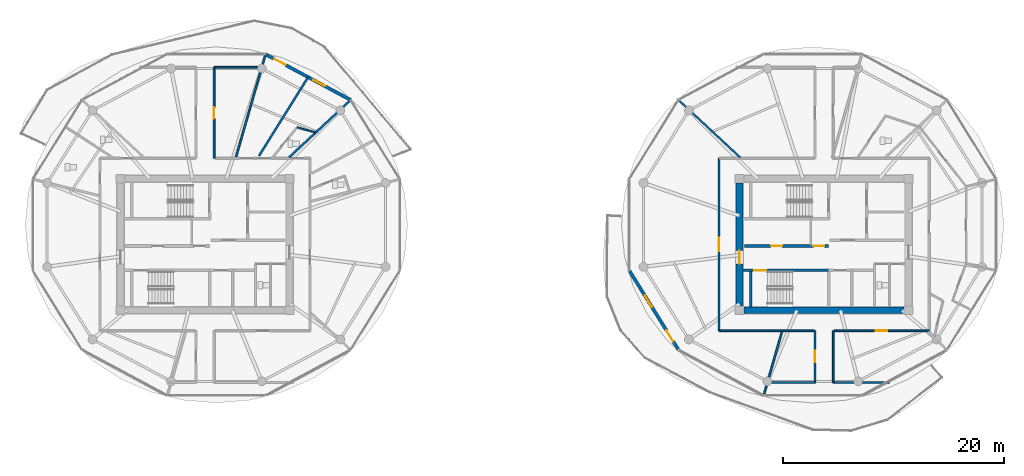
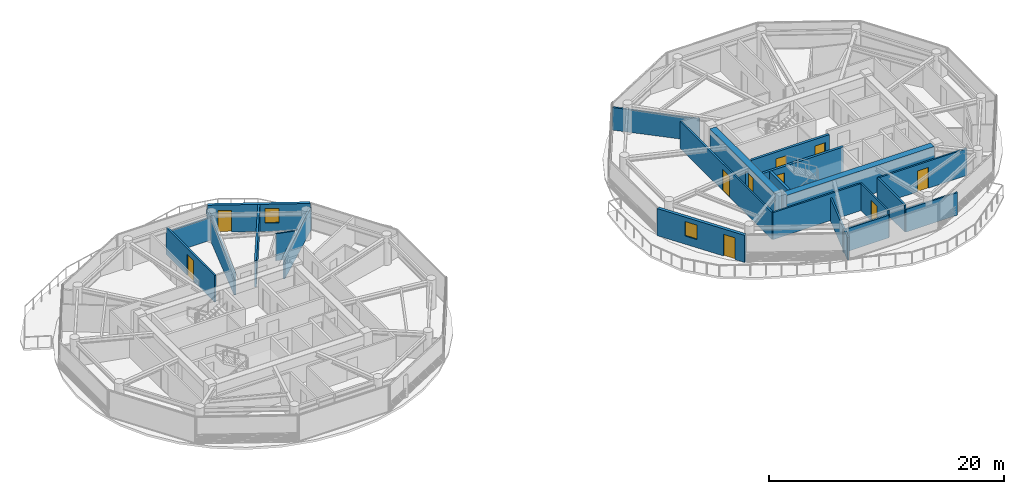
# One storey, part 14 of 21: 22 walls, 10 doors, 2 windows, 12 openings.
"""IFC4 building model written with IfcOpenShell, lengths in metres."""

from ifc_helpers import new_model, si_unit, direction, frame, frame_2d, origin, place, context, subcontext, project, spatial, rectangle, extrude, source, transform, mapped, material, layer, layer_set, type_object, type_shapes, element, fill, save


model = new_model("IFC4")

# Units and contexts
model_context = context("Model", 3, precision=1e-05, world=origin(), true_north=direction((0.0, 1.0)))
body_context = subcontext(model_context, "Body", "Model", "MODEL_VIEW")
ifc_project = project(units=[si_unit("LENGTHUNIT", "METRE"), si_unit("AREAUNIT", "SQUARE_METRE"), si_unit("VOLUMEUNIT", "CUBIC_METRE"), si_unit("PLANEANGLEUNIT", "RADIAN"), si_unit("MASSUNIT", "GRAM", prefix="KILO")], contexts=[model_context])

# Site, building, storey
site_placement = place(None, origin())
site = spatial("IfcSite", under=ifc_project, at=site_placement, CompositionType="ELEMENT")
building_placement = place(site_placement, origin())
building = spatial("IfcBuilding", under=site, at=building_placement, Name="Norrkilde Senior Care Towers", CompositionType="ELEMENT")
storey_placement = place(building_placement, frame((0.0, 0.0, 146.5)))
storey = spatial("IfcBuildingStorey", under=building, at=storey_placement, Name="L45", CompositionType="ELEMENT", Elevation=146.5)

# Wall
ifc_material_1 = material(Name="Concrete C50/60", Category="concrete")
ifc_layer_1 = layer(ifc_material_1, 0.6201171875)
ifc_layer_set_1 = layer_set([ifc_layer_1], Name="Concrete C50/60")
wall_type_1 = type_object("IfcWallType", Name="Core Shear Wall Z3 620", PredefinedType="SHEAR", material=ifc_layer_set_1)
shared_shape_1 = source(origin(), body_context, "Body", "SweptSolid", [
    extrude(rectangle(XDim=14.5, YDim=0.6201171875, at=frame_2d((7.25, 0.0))), origin(), (0.0, 0.0, 1.0), 2.81005859375),
])
wall_1_placement = place(storey_placement, frame((35.25, -5.949951171875, 0.0), z_axis=(0.0, 0.0, 1.0), x_axis=(-1.0, 0.0, 0.0)))
element("IfcWall", 1, at=wall_1_placement, inside=storey, type_object=wall_type_1, Name="L45 Core E South Shear Wall", PredefinedType="SHEAR", context=body_context, shape_type="MappedRepresentation", body=[
    mapped(shared_shape_1, transform((0.0, 0.0, 0.0), x_axis=(1.0, 0.0, 0.0), y_axis=(0.0, 1.0, 0.0), z_axis=(0.0, 0.0, 1.0), scale=1.0)),
])

# Wall, opening, door
shared_shape_2 = source(origin(), body_context, "Body", "SweptSolid", [
    extrude(rectangle(XDim=11.10009765625, YDim=0.6201171875, at=frame_2d((5.550048828125, 0.0))), origin(), (0.0, 0.0, 1.0), 2.81005859375),
])
type_shapes(wall_type_1, [shared_shape_1, shared_shape_2])
wall_2_placement = place(storey_placement, frame((20.35009765625, -5.550048828125, 0.0), z_axis=(0.0, 0.0, 1.0), x_axis=(0.0, 1.0, 0.0)))
wall_2 = element("IfcWall", 2, at=wall_2_placement, inside=storey, type_object=wall_type_1, Name="L45 Core E West Shear Wall", PredefinedType="SHEAR", context=body_context, shape_type="MappedRepresentation", body=[
    mapped(shared_shape_2, transform((0.0, 0.0, 0.0), x_axis=(1.0, 0.0, 0.0), y_axis=(0.0, 1.0, 0.0), z_axis=(0.0, 0.0, 1.0), scale=1.0)),
])
opening_1_placement = place(wall_2_placement, frame((3.800048828125, 0.0, 0.0)))
opening_1 = element("IfcOpeningElement", 3, at=opening_1_placement, cuts=wall_2, Name="Opening D-04", PredefinedType="OPENING", context=body_context, shape_type="SweptSolid", body=[
    extrude(rectangle(XDim=1.199951171875, YDim=2.14990234375, at=frame_2d((0.60009765625, 1.074951171875))), frame((0.0, 0.320068359375, 0.0), z_axis=(0.0, -1.0, 0.0), x_axis=(1.0, 0.0, 0.0)), (0.0, 0.0, 1.0), 0.64013671875),
])
ifc_material_2 = material(Name="Galvanised Painted Steel", Category="steel")
door_type_1 = type_object("IfcDoorType", Name="Firefighting Lobby Fire Door 1200x2150", OperationType="NOTDEFINED", PredefinedType="DOOR", material=ifc_material_2)
shared_shape_3 = source(origin(), body_context, "Body", "SweptSolid", [
    extrude(rectangle(XDim=1.199951171875, YDim=2.14990234375, at=frame_2d((0.60009765625, 1.074951171875))), frame((0.0, 0.02490234375, 0.0), z_axis=(0.0, -1.0, 0.0), x_axis=(1.0, 0.0, 0.0)), (0.0, 0.0, 1.0), 0.050048828125),
])
type_shapes(door_type_1, [shared_shape_3])
door_1_placement = place(opening_1_placement, frame((1.199951171875, 0.0, 0.0), z_axis=(0.0, 0.0, 1.0), x_axis=(-1.0, 0.0, 0.0)))
door_1 = element("IfcDoor", 4, at=door_1_placement, inside=storey, type_object=door_type_1, Name="L45 Core E West Portal Door", OperationType="SINGLE_SWING_LEFT", OverallHeight=2.14990234375, OverallWidth=1.199951171875, PredefinedType="DOOR", context=body_context, shape_type="MappedRepresentation", body=[
    mapped(shared_shape_3, transform((0.0, 0.0, 0.0), x_axis=(1.0, 0.0, 0.0), y_axis=(0.0, 1.0, 0.0), z_axis=(0.0, 0.0, 1.0), scale=1.0)),
])
fill(opening_1, door_1)

# Wall, openings, door, window
ifc_material_3 = material(Name="Precast concrete C45/55", Category="concrete")
ifc_layer_2 = layer(ifc_material_3, 0.2900390625)
ifc_layer_set_2 = layer_set([ifc_layer_2], Name="Precast concrete C45/55")
wall_type_2 = type_object("IfcWallType", Name="Winter Garden Facade Wall 290", PredefinedType="SOLIDWALL", material=ifc_layer_set_2)
shared_shape_4 = source(origin(), body_context, "Body", "SweptSolid", [
    extrude(rectangle(XDim=8.741943359375, YDim=0.2900390625, at=frame_2d((4.37109375, 0.0))), origin(), (0.0, 0.0, 1.0), 2.81005859375),
])
wall_3_placement = place(storey_placement, frame((-22.528564453125, 17.2109375, 0.0), z_axis=(0.0, 0.0, 1.0), x_axis=(0.880998740657, -0.473118609823, 0.0)))
wall_3 = element("IfcWall", 5, at=wall_3_placement, inside=storey, type_object=wall_type_2, Name="L45 Drum W Balcony Access Wall 01", PredefinedType="SOLIDWALL", context=body_context, shape_type="MappedRepresentation", body=[
    mapped(shared_shape_4, transform((0.0, 0.0, 0.0), x_axis=(1.0, 0.0, 0.0), y_axis=(0.0, 1.0, 0.0), z_axis=(0.0, 0.0, 1.0), scale=1.0)),
])
opening_2_placement = place(wall_3_placement, frame((0.89990234375, 0.0, 0.0)))
opening_2 = element("IfcOpeningElement", 6, at=opening_2_placement, cuts=wall_3, Name="Opening D-09", PredefinedType="OPENING", context=body_context, shape_type="SweptSolid", body=[
    extrude(rectangle(XDim=1.14990234375, YDim=2.25, at=frame_2d((0.574951171875, 1.125))), frame((0.0, 0.155029296875, 0.0), z_axis=(0.0, -1.0, 0.0), x_axis=(1.0, 0.0, 0.0)), (0.0, 0.0, 1.0), 0.31005859375),
])
opening_3_placement = place(wall_3_placement, frame((4.90087890625, 0.0, 0.85009765625)))
opening_3 = element("IfcOpeningElement", 7, at=opening_3_placement, cuts=wall_3, Name="Opening WN-07", PredefinedType="OPENING", context=body_context, shape_type="SweptSolid", body=[
    extrude(rectangle(XDim=1.199951171875, YDim=1.5, at=frame_2d((0.60009765625, 0.75))), frame((0.0, 0.155029296875, 0.0), z_axis=(0.0, -1.0, 0.0), x_axis=(1.0, 0.0, 0.0)), (0.0, 0.0, 1.0), 0.31005859375),
])
ifc_material_4 = material(Name="Anodised Aluminium", Category="aluminium")
door_type_2 = type_object("IfcDoorType", Name="Terrace and Balcony Glazed Door 1150x2250", OperationType="NOTDEFINED", PredefinedType="DOOR", material=ifc_material_4)
shared_shape_5 = source(origin(), body_context, "Body", "SweptSolid", [
    extrude(rectangle(XDim=1.14990234375, YDim=2.25, at=frame_2d((0.574951171875, 1.125))), frame((0.0, 0.02490234375, 0.0), z_axis=(0.0, -1.0, 0.0), x_axis=(1.0, 0.0, 0.0)), (0.0, 0.0, 1.0), 0.050048828125),
])
type_shapes(door_type_2, [shared_shape_5])
door_2_placement = place(opening_2_placement, origin())
door_2 = element("IfcDoor", 8, at=door_2_placement, inside=storey, type_object=door_type_2, Name="L45 Drum W Outdoor Terrace Door 01", OperationType="SINGLE_SWING_RIGHT", OverallHeight=2.25, OverallWidth=1.14990234375, PredefinedType="DOOR", context=body_context, shape_type="MappedRepresentation", body=[
    mapped(shared_shape_5, transform((0.0, 0.0, 0.0), x_axis=(1.0, 0.0, 0.0), y_axis=(0.0, 1.0, 0.0), z_axis=(0.0, 0.0, 1.0), scale=1.0)),
])
fill(opening_2, door_2)
ifc_material_5 = material(Name="Triple Low-E Insulated Glazing", Category="glass")
window_type = type_object("IfcWindowType", Name="Stairwell Smoke Vent Window 1200x1500", PartitioningType="SINGLE_PANEL", PredefinedType="WINDOW", material=ifc_material_5)
shared_shape_6 = source(origin(), body_context, "Body", "SweptSolid", [
    extrude(rectangle(XDim=1.199951171875, YDim=1.5, at=frame_2d((0.60009765625, 0.75))), frame((0.0, 0.030029296875, 0.0), z_axis=(0.0, -1.0, 0.0), x_axis=(1.0, 0.0, 0.0)), (0.0, 0.0, 1.0), 0.06005859375),
])
type_shapes(window_type, [shared_shape_6])
window_1_placement = place(opening_3_placement, origin())
window_1 = element("IfcWindow", 9, at=window_1_placement, inside=storey, type_object=window_type, Name="L45 Drum W Winter Garden Window 01", OverallHeight=1.5, OverallWidth=1.199951171875, PartitioningType="SINGLE_PANEL", PredefinedType="WINDOW", context=body_context, shape_type="MappedRepresentation", body=[
    mapped(shared_shape_6, transform((0.0, 0.0, 0.0), x_axis=(1.0, 0.0, 0.0), y_axis=(0.0, 1.0, 0.0), z_axis=(0.0, 0.0, 1.0), scale=1.0)),
])
fill(opening_3, window_1)

shared_shape_7 = source(origin(), body_context, "Body", "SweptSolid", [
    extrude(rectangle(XDim=8.431396484375, YDim=0.2900390625, at=frame_2d((4.2158203125, 0.0))), origin(), (0.0, 0.0, 1.0), 2.81005859375),
])
type_shapes(wall_type_2, [shared_shape_4, shared_shape_7])
wall_4_placement = place(storey_placement, frame((14.826904296875, -9.524169921875, 0.0), z_axis=(0.0, 0.0, 1.0), x_axis=(-0.527377998418, 0.849630770855, 0.0)))
wall_4 = element("IfcWall", 10, at=wall_4_placement, inside=storey, type_object=wall_type_2, Name="L45 Drum E Balcony Access Wall 06", PredefinedType="SOLIDWALL", context=body_context, shape_type="MappedRepresentation", body=[
    mapped(shared_shape_7, transform((0.0, 0.0, 0.0), x_axis=(1.0, 0.0, 0.0), y_axis=(0.0, 1.0, 0.0), z_axis=(0.0, 0.0, 1.0), scale=1.0)),
])
opening_4_placement = place(wall_4_placement, frame((0.89990234375, 0.0, 0.0)))
opening_4 = element("IfcOpeningElement", 11, at=opening_4_placement, cuts=wall_4, Name="Opening D-09", PredefinedType="OPENING", context=body_context, shape_type="SweptSolid", body=[
    extrude(rectangle(XDim=1.14990234375, YDim=2.25, at=frame_2d((0.574951171875, 1.125))), frame((0.0, 0.155029296875, 0.0), z_axis=(0.0, -1.0, 0.0), x_axis=(1.0, 0.0, 0.0)), (0.0, 0.0, 1.0), 0.31005859375),
])
opening_5_placement = place(wall_4_placement, frame((4.565673828125, 0.0, 0.85009765625)))
opening_5 = element("IfcOpeningElement", 12, at=opening_5_placement, cuts=wall_4, Name="Opening WN-07", PredefinedType="OPENING", context=body_context, shape_type="SweptSolid", body=[
    extrude(rectangle(XDim=1.199951171875, YDim=1.5, at=frame_2d((0.60009765625, 0.75))), frame((0.0, 0.155029296875, 0.0), z_axis=(0.0, -1.0, 0.0), x_axis=(1.0, 0.0, 0.0)), (0.0, 0.0, 1.0), 0.31005859375),
])
door_3_placement = place(opening_4_placement, origin())
door_3 = element("IfcDoor", 13, at=door_3_placement, inside=storey, type_object=door_type_2, Name="L45 Drum E Outdoor Terrace Door 06", OperationType="SINGLE_SWING_LEFT", OverallHeight=2.25, OverallWidth=1.14990234375, PredefinedType="DOOR", context=body_context, shape_type="MappedRepresentation", body=[
    mapped(shared_shape_5, transform((0.0, 0.0, 0.0), x_axis=(1.0, 0.0, 0.0), y_axis=(0.0, 1.0, 0.0), z_axis=(0.0, 0.0, 1.0), scale=1.0)),
])
fill(opening_4, door_3)
window_2_placement = place(opening_5_placement, origin())
window_2 = element("IfcWindow", 14, at=window_2_placement, inside=storey, type_object=window_type, Name="L45 Drum E Winter Garden Window 06", OverallHeight=1.5, OverallWidth=1.199951171875, PartitioningType="SINGLE_PANEL", PredefinedType="WINDOW", context=body_context, shape_type="MappedRepresentation", body=[
    mapped(shared_shape_6, transform((0.0, 0.0, 0.0), x_axis=(1.0, 0.0, 0.0), y_axis=(0.0, 1.0, 0.0), z_axis=(0.0, 0.0, 1.0), scale=1.0)),
])
fill(opening_5, window_2)

# Wall, opening, door
ifc_material_6 = material(Name="Concrete C45/55", Category="concrete")
ifc_layer_3 = layer(ifc_material_6, 0.239990234375)
ifc_layer_set_3 = layer_set([ifc_layer_3], Name="Concrete C45/55")
wall_type_3 = type_object("IfcWallType", Name="Shaft and Stair Enclosure Wall 240", PredefinedType="PARTITIONING", material=ifc_layer_set_3)
shared_shape_8 = source(origin(), body_context, "Body", "SweptSolid", [
    extrude(rectangle(XDim=7.880126953125, YDim=0.239990234375, at=frame_2d((3.93994140625, 0.0))), origin(), (0.0, 0.0, 1.0), 2.81005859375),
])
wall_5_placement = place(storey_placement, frame((20.659912109375, -2.330078125, 0.0), z_axis=(0.0, 0.0, 1.0), x_axis=(1.0, 0.0, 0.0)))
wall_5 = element("IfcWall", 15, at=wall_5_placement, inside=storey, type_object=wall_type_3, Name="WL-INT-L45-E-ST2N", PredefinedType="PARTITIONING", context=body_context, shape_type="MappedRepresentation", body=[
    mapped(shared_shape_8, transform((0.0, 0.0, 0.0), x_axis=(1.0, 0.0, 0.0), y_axis=(0.0, 1.0, 0.0), z_axis=(0.0, 0.0, 1.0), scale=1.0)),
])
opening_6_placement = place(wall_5_placement, frame((1.0, 0.0, 0.0)))
opening_6 = element("IfcOpeningElement", 16, at=opening_6_placement, cuts=wall_5, Name="Opening D-03", PredefinedType="OPENING", context=body_context, shape_type="SweptSolid", body=[
    extrude(rectangle(XDim=1.10009765625, YDim=2.14990234375, at=frame_2d((0.550048828125, 1.074951171875))), frame((0.0, 0.1298828125, 0.0), z_axis=(0.0, -1.0, 0.0), x_axis=(1.0, 0.0, 0.0)), (0.0, 0.0, 1.0), 0.260009765625),
])
door_type_3 = type_object("IfcDoorType", Name="Stairwell Protected Fire Door 1100x2150", OperationType="NOTDEFINED", PredefinedType="DOOR", material=ifc_material_2)
shared_shape_9 = source(origin(), body_context, "Body", "SweptSolid", [
    extrude(rectangle(XDim=1.10009765625, YDim=2.14990234375, at=frame_2d((0.550048828125, 1.074951171875))), frame((0.0, 0.02490234375, 0.0), z_axis=(0.0, -1.0, 0.0), x_axis=(1.0, 0.0, 0.0)), (0.0, 0.0, 1.0), 0.050048828125),
])
type_shapes(door_type_3, [shared_shape_9])
door_4_placement = place(opening_6_placement, frame((1.10009765625, 0.0, 0.0), z_axis=(0.0, 0.0, 1.0), x_axis=(-1.0, 0.0, 0.0)))
door_4 = element("IfcDoor", 17, at=door_4_placement, inside=storey, type_object=door_type_3, Name="L45 Stair E2 Fire Door", OperationType="SINGLE_SWING_RIGHT", OverallHeight=2.14990234375, OverallWidth=1.10009765625, PredefinedType="DOOR", context=body_context, shape_type="MappedRepresentation", body=[
    mapped(shared_shape_9, transform((0.0, 0.0, 0.0), x_axis=(1.0, 0.0, 0.0), y_axis=(0.0, 1.0, 0.0), z_axis=(0.0, 0.0, 1.0), scale=1.0)),
])
fill(opening_6, door_4)

# Wall
shared_shape_10 = source(origin(), body_context, "Body", "SweptSolid", [
    extrude(rectangle(XDim=3.18994140625, YDim=0.239990234375, at=frame_2d((1.594970703125, 0.0))), origin(), (0.0, 0.0, 1.0), 2.81005859375),
])
type_shapes(wall_type_3, [shared_shape_8, shared_shape_10])
wall_6_placement = place(storey_placement, frame((21.3798828125, -5.639892578125, 0.0), z_axis=(0.0, 0.0, 1.0), x_axis=(0.0, 1.0, 0.0)))
element("IfcWall", 18, at=wall_6_placement, inside=storey, type_object=wall_type_3, Name="WL-INT-L45-E-ST2W", PredefinedType="PARTITIONING", context=body_context, shape_type="MappedRepresentation", body=[
    mapped(shared_shape_10, transform((0.0, 0.0, 0.0), x_axis=(1.0, 0.0, 0.0), y_axis=(0.0, 1.0, 0.0), z_axis=(0.0, 0.0, 1.0), scale=1.0)),
])

# Wall, openings, doors
ifc_layer_4 = layer(ifc_material_6, 0.239990234375)
ifc_layer_set_4 = layer_set([ifc_layer_4], Name="Concrete C45/55")
wall_type_4 = type_object("IfcWallType", Name="Lift and Plant Rated Enclosure Partition 240", PredefinedType="PARTITIONING", material=ifc_layer_set_4)
shared_shape_11 = source(origin(), body_context, "Body", "SweptSolid", [
    extrude(rectangle(XDim=7.619873046875, YDim=0.239990234375, at=frame_2d((3.81005859375, 0.0))), origin(), (0.0, 0.0, 1.0), 2.794921875),
])
type_shapes(wall_type_4, [shared_shape_11])
wall_7_placement = place(storey_placement, frame((20.800048828125, -0.1298828125, 0.0), z_axis=(0.0, 0.0, 1.0), x_axis=(1.0, 0.0, 0.0)))
wall_7 = element("IfcWall", 19, at=wall_7_placement, inside=storey, type_object=wall_type_4, Name="WL-INT-L45-E-PKAS", PredefinedType="PARTITIONING", context=body_context, shape_type="MappedRepresentation", body=[
    mapped(shared_shape_11, transform((0.0, 0.0, 0.0), x_axis=(1.0, 0.0, 0.0), y_axis=(0.0, 1.0, 0.0), z_axis=(0.0, 0.0, 1.0), scale=1.0)),
])
opening_7_placement = place(wall_7_placement, frame((6.219970703125, 0.0, 0.0)))
opening_7 = element("IfcOpeningElement", 20, at=opening_7_placement, cuts=wall_7, Name="Opening D-10", PredefinedType="OPENING", context=body_context, shape_type="SweptSolid", body=[
    extrude(rectangle(XDim=1.0, YDim=2.10009765625, at=frame_2d((0.5, 1.050048828125))), frame((0.0, 0.1298828125, 0.0), z_axis=(0.0, -1.0, 0.0), x_axis=(1.0, 0.0, 0.0)), (0.0, 0.0, 1.0), 0.260009765625),
])
opening_8_placement = place(wall_7_placement, frame((2.39990234375, 0.0, 0.0)))
opening_8 = element("IfcOpeningElement", 21, at=opening_8_placement, cuts=wall_7, Name="Opening D-10", PredefinedType="OPENING", context=body_context, shape_type="SweptSolid", body=[
    extrude(rectangle(XDim=1.0, YDim=2.10009765625, at=frame_2d((0.5, 1.050048828125))), frame((0.0, 0.1298828125, 0.0), z_axis=(0.0, -1.0, 0.0), x_axis=(1.0, 0.0, 0.0)), (0.0, 0.0, 1.0), 0.260009765625),
])
door_type_4 = type_object("IfcDoorType", Name="Plant and Riser Rated Door 1000x2100", OperationType="NOTDEFINED", PredefinedType="DOOR", material=ifc_material_2)
shared_shape_12 = source(origin(), body_context, "Body", "SweptSolid", [
    extrude(rectangle(XDim=1.0, YDim=2.10009765625, at=frame_2d((0.5, 1.050048828125))), frame((0.0, 0.02490234375, 0.0), z_axis=(0.0, -1.0, 0.0), x_axis=(1.0, 0.0, 0.0)), (0.0, 0.0, 1.0), 0.050048828125),
])
type_shapes(door_type_4, [shared_shape_12])
door_5_placement = place(opening_7_placement, frame((1.0, 0.0, 0.0), z_axis=(0.0, 0.0, 1.0), x_axis=(-1.0, 0.0, 0.0)))
door_5 = element("IfcDoor", 22, at=door_5_placement, inside=storey, type_object=door_type_4, Name="L45 Electrical Riser E Door", OperationType="SINGLE_SWING_LEFT", OverallHeight=2.10009765625, OverallWidth=1.0, PredefinedType="DOOR", context=body_context, shape_type="MappedRepresentation", body=[
    mapped(shared_shape_12, transform((0.0, 0.0, 0.0), x_axis=(1.0, 0.0, 0.0), y_axis=(0.0, 1.0, 0.0), z_axis=(0.0, 0.0, 1.0), scale=1.0)),
])
fill(opening_7, door_5)
door_6_placement = place(opening_8_placement, frame((1.0, 0.0, 0.0), z_axis=(0.0, 0.0, 1.0), x_axis=(-1.0, 0.0, 0.0)))
door_6 = element("IfcDoor", 23, at=door_6_placement, inside=storey, type_object=door_type_4, Name="L45 Clean Supply Store E Door", OperationType="SINGLE_SWING_LEFT", OverallHeight=2.10009765625, OverallWidth=1.0, PredefinedType="DOOR", context=body_context, shape_type="MappedRepresentation", body=[
    mapped(shared_shape_12, transform((0.0, 0.0, 0.0), x_axis=(1.0, 0.0, 0.0), y_axis=(0.0, 1.0, 0.0), z_axis=(0.0, 0.0, 1.0), scale=1.0)),
])
fill(opening_8, door_6)

# Wall, opening, door
ifc_material_7 = material(Name="Gypsum Acoustic Board")
ifc_layer_5 = layer(ifc_material_7, 0.1650390625)
ifc_layer_set_5 = layer_set([ifc_layer_5], Name="Gypsum Acoustic Board")
wall_type_5 = type_object("IfcWallType", Name="Corridor Rated Partition 165", PredefinedType="PARTITIONING", material=ifc_layer_set_5)
shared_shape_13 = source(origin(), body_context, "Body", "SweptSolid", [
    extrude(rectangle(XDim=8.60009765625, YDim=0.1650390625, at=frame_2d((4.300048828125, 0.0))), origin(), (0.0, 0.0, 1.0), 2.794921875),
])
wall_8_placement = place(storey_placement, frame((37.5, -7.800048828125, 0.0), z_axis=(0.0, 0.0, 1.0), x_axis=(-1.0, 0.0, 0.0)))
wall_8 = element("IfcWall", 24, at=wall_8_placement, inside=storey, type_object=wall_type_5, Name="WL-INT-L45-E-CRW-S-0", PredefinedType="PARTITIONING", context=body_context, shape_type="MappedRepresentation", body=[
    mapped(shared_shape_13, transform((0.0, 0.0, 0.0), x_axis=(1.0, 0.0, 0.0), y_axis=(0.0, 1.0, 0.0), z_axis=(0.0, 0.0, 1.0), scale=1.0)),
])
opening_9_placement = place(wall_8_placement, frame((3.77490234375, 0.0, 0.0)))
opening_9 = element("IfcOpeningElement", 25, at=opening_9_placement, cuts=wall_8, Name="Opening D-06", PredefinedType="OPENING", context=body_context, shape_type="SweptSolid", body=[
    extrude(rectangle(XDim=1.050048828125, YDim=2.14990234375, at=frame_2d((0.52490234375, 1.074951171875))), frame((0.0, 0.092529296875, 0.0), z_axis=(0.0, -1.0, 0.0), x_axis=(1.0, 0.0, 0.0)), (0.0, 0.0, 1.0), 0.18505859375),
])
ifc_material_8 = material(Name="Nordic Ash Timber", Category="wood")
door_type_5 = type_object("IfcDoorType", Name="Apartment Entrance Fire Door 1050x2150", OperationType="NOTDEFINED", PredefinedType="DOOR", material=ifc_material_8)
shared_shape_14 = source(origin(), body_context, "Body", "SweptSolid", [
    extrude(rectangle(XDim=1.050048828125, YDim=2.14990234375, at=frame_2d((0.52490234375, 1.074951171875))), frame((0.0, 0.02490234375, 0.0), z_axis=(0.0, -1.0, 0.0), x_axis=(1.0, 0.0, 0.0)), (0.0, 0.0, 1.0), 0.050048828125),
])
type_shapes(door_type_5, [shared_shape_14])
door_7_placement = place(opening_9_placement, frame((1.050048828125, 0.0, 0.0), z_axis=(0.0, 0.0, 1.0), x_axis=(-1.0, 0.0, 0.0)))
door_7 = element("IfcDoor", 26, at=door_7_placement, inside=storey, type_object=door_type_5, Name="L45 Reading Lounge SEL Door", OperationType="SINGLE_SWING_RIGHT", OverallHeight=2.14990234375, OverallWidth=1.050048828125, PredefinedType="DOOR", context=body_context, shape_type="MappedRepresentation", body=[
    mapped(shared_shape_14, transform((0.0, 0.0, 0.0), x_axis=(1.0, 0.0, 0.0), y_axis=(0.0, 1.0, 0.0), z_axis=(0.0, 0.0, 1.0), scale=1.0)),
])
fill(opening_9, door_7)

# Wall
wall_9_placement = place(storey_placement, frame((27.10009765625, -7.800048828125, 0.0), z_axis=(0.0, 0.0, 1.0), x_axis=(-1.0, 0.0, 0.0)))
element("IfcWall", 27, at=wall_9_placement, inside=storey, type_object=wall_type_5, Name="WL-INT-L45-E-CRW-S-1", PredefinedType="PARTITIONING", context=body_context, shape_type="MappedRepresentation", body=[
    mapped(shared_shape_13, transform((0.0, 0.0, 0.0), x_axis=(1.0, 0.0, 0.0), y_axis=(0.0, 1.0, 0.0), z_axis=(0.0, 0.0, 1.0), scale=1.0)),
])

# Wall, opening, door
shared_shape_15 = source(origin(), body_context, "Body", "SweptSolid", [
    extrude(rectangle(XDim=15.60009765625, YDim=0.1650390625, at=frame_2d((7.800048828125, 0.0))), origin(), (0.0, 0.0, 1.0), 2.794921875),
])
wall_10_placement = place(storey_placement, frame((18.5, -7.800048828125, 0.0), z_axis=(0.0, 0.0, 1.0), x_axis=(0.0, 1.0, 0.0)))
wall_10 = element("IfcWall", 28, at=wall_10_placement, inside=storey, type_object=wall_type_5, Name="WL-INT-L45-E-CRW-W-0", PredefinedType="PARTITIONING", context=body_context, shape_type="MappedRepresentation", body=[
    mapped(shared_shape_15, transform((0.0, 0.0, 0.0), x_axis=(1.0, 0.0, 0.0), y_axis=(0.0, 1.0, 0.0), z_axis=(0.0, 0.0, 1.0), scale=1.0)),
])
opening_10_placement = place(wall_10_placement, frame((7.175048828125, 0.0, 0.0)))
opening_10 = element("IfcOpeningElement", 29, at=opening_10_placement, cuts=wall_10, Name="Opening D-05", PredefinedType="OPENING", context=body_context, shape_type="SweptSolid", body=[
    extrude(rectangle(XDim=1.25, YDim=2.199951171875, at=frame_2d((0.625, 1.10009765625))), frame((0.0, 0.092529296875, 0.0), z_axis=(0.0, -1.0, 0.0), x_axis=(1.0, 0.0, 0.0)), (0.0, 0.0, 1.0), 0.18505859375),
])
door_type_6 = type_object("IfcDoorType", Name="Care Bedroom Bariatric Door 1250x2200", OperationType="NOTDEFINED", PredefinedType="DOOR", material=ifc_material_8)
shared_shape_16 = source(origin(), body_context, "Body", "SweptSolid", [
    extrude(rectangle(XDim=1.25, YDim=2.199951171875, at=frame_2d((0.625, 1.10009765625))), frame((0.0, 0.02490234375, 0.0), z_axis=(0.0, -1.0, 0.0), x_axis=(1.0, 0.0, 0.0)), (0.0, 0.0, 1.0), 0.050048828125),
])
type_shapes(door_type_6, [shared_shape_16])
door_8_placement = place(opening_10_placement, frame((1.25, 0.0, 0.0), z_axis=(0.0, 0.0, 1.0), x_axis=(-1.0, 0.0, 0.0)))
door_8 = element("IfcDoor", 30, at=door_8_placement, inside=storey, type_object=door_type_6, Name="L45 Senior Wellness Library Lounge Door", OperationType="SINGLE_SWING_LEFT", OverallHeight=2.199951171875, OverallWidth=1.25, PredefinedType="DOOR", context=body_context, shape_type="MappedRepresentation", body=[
    mapped(shared_shape_16, transform((0.0, 0.0, 0.0), x_axis=(1.0, 0.0, 0.0), y_axis=(0.0, 1.0, 0.0), z_axis=(0.0, 0.0, 1.0), scale=1.0)),
])
fill(opening_10, door_8)

# Walls
shared_shape_17 = source(origin(), body_context, "Body", "SweptSolid", [
    extrude(rectangle(XDim=9.73046875, YDim=0.1650390625, at=frame_2d((4.865234375, 0.0))), origin(), (0.0, 0.0, 1.0), 2.344970703125),
])
wall_11_placement = place(storey_placement, frame((-25.216552734375, 7.8798828125, 0.0), z_axis=(0.0, 0.0, 1.0), x_axis=(0.27679492614, 0.960929013436, 0.0)))
element("IfcWall", 31, at=wall_11_placement, inside=storey, type_object=wall_type_5, Name="WL-INT-L45-W-DEM-02-0", PredefinedType="PARTITIONING", context=body_context, shape_type="MappedRepresentation", body=[
    mapped(shared_shape_17, transform((0.0, 0.0, 0.0), x_axis=(1.0, 0.0, 0.0), y_axis=(0.0, 1.0, 0.0), z_axis=(0.0, 0.0, 1.0), scale=1.0)),
])
shared_shape_18 = source(origin(), body_context, "Body", "SweptSolid", [
    extrude(rectangle(XDim=6.035400390625, YDim=0.1650390625, at=frame_2d((3.017578125, 0.0))), origin(), (0.0, 0.0, 1.0), 2.344970703125),
])
wall_12_placement = place(storey_placement, frame((24.19384765625, -7.8798828125, 0.0), z_axis=(0.0, 0.0, 1.0), x_axis=(-0.276809454862, -0.960924828329, 0.0)))
element("IfcWall", 32, at=wall_12_placement, inside=storey, type_object=wall_type_5, Name="WL-INT-L45-E-DEM-08-0", PredefinedType="PARTITIONING", context=body_context, shape_type="MappedRepresentation", body=[
    mapped(shared_shape_18, transform((0.0, 0.0, 0.0), x_axis=(1.0, 0.0, 0.0), y_axis=(0.0, 1.0, 0.0), z_axis=(0.0, 0.0, 1.0), scale=1.0)),
])

# Wall, opening, door
shared_shape_19 = source(origin(), body_context, "Body", "SweptSolid", [
    extrude(rectangle(XDim=8.2353515625, YDim=0.1650390625, at=frame_2d((4.11767578125, 0.0))), origin(), (0.0, 0.0, 1.0), 2.794921875),
])
wall_13_placement = place(storey_placement, frame((-27.179931640625, 7.800048828125, 0.0), z_axis=(0.0, 0.0, 1.0), x_axis=(0.0, 1.0, 0.0)))
wall_13 = element("IfcWall", 33, at=wall_13_placement, inside=storey, type_object=wall_type_5, Name="WL-INT-L45-W-PKW-NEL", PredefinedType="PARTITIONING", context=body_context, shape_type="MappedRepresentation", body=[
    mapped(shared_shape_19, transform((0.0, 0.0, 0.0), x_axis=(1.0, 0.0, 0.0), y_axis=(0.0, 1.0, 0.0), z_axis=(0.0, 0.0, 1.0), scale=1.0)),
])
opening_11_placement = place(wall_13_placement, frame((3.5927734375, 0.0, 0.0)))
opening_11 = element("IfcOpeningElement", 34, at=opening_11_placement, cuts=wall_13, Name="Opening D-06", PredefinedType="OPENING", context=body_context, shape_type="SweptSolid", body=[
    extrude(rectangle(XDim=1.050048828125, YDim=2.14990234375, at=frame_2d((0.52490234375, 1.074951171875))), frame((0.0, 0.092529296875, 0.0), z_axis=(0.0, -1.0, 0.0), x_axis=(1.0, 0.0, 0.0)), (0.0, 0.0, 1.0), 0.18505859375),
])
door_9_placement = place(opening_11_placement, frame((1.050048828125, 0.0, 0.0), z_axis=(0.0, 0.0, 1.0), x_axis=(-1.0, 0.0, 0.0)))
door_9 = element("IfcDoor", 35, at=door_9_placement, inside=storey, type_object=door_type_5, Name="L45 Reading Lounge NEL Door", OperationType="SINGLE_SWING_RIGHT", OverallHeight=2.14990234375, OverallWidth=1.050048828125, PredefinedType="DOOR", context=body_context, shape_type="MappedRepresentation", body=[
    mapped(shared_shape_14, transform((0.0, 0.0, 0.0), x_axis=(1.0, 0.0, 0.0), y_axis=(0.0, 1.0, 0.0), z_axis=(0.0, 0.0, 1.0), scale=1.0)),
])
fill(opening_11, door_9)

# Walls
shared_shape_20 = source(origin(), body_context, "Body", "SweptSolid", [
    extrude(rectangle(XDim=4.46875, YDim=0.1650390625, at=frame_2d((2.234375, 0.0))), origin(), (0.0, 0.0, 1.0), 2.344970703125),
])
for number, where, z_axis, x_axis, name in (
    (36, (-27.179931640625, 16.035400390625, 0.0), (0.0, 0.0, 1.0), (1.0, 0.0, 0.0), "WL-INT-L45-W-PKH-NEL-0"),
    (37, (22.711181640625, -12.484619140625, 0.0), (0.0, 0.0, 1.0), (1.0, 0.0, 0.0), "WL-INT-L45-E-PKH-SWL-0"),
):
    element("IfcWall", number, at=place(storey_placement, frame(where, z_axis=z_axis, x_axis=x_axis)), inside=storey, type_object=wall_type_5, Name=name, PredefinedType="PARTITIONING", context=body_context, shape_type="MappedRepresentation", body=[
        mapped(shared_shape_20, transform((0.0, 0.0, 0.0), x_axis=(1.0, 0.0, 0.0), y_axis=(0.0, 1.0, 0.0), z_axis=(0.0, 0.0, 1.0), scale=1.0)),
    ])

# Wall, opening, door
shared_shape_21 = source(origin(), body_context, "Body", "SweptSolid", [
    extrude(rectangle(XDim=4.6845703125, YDim=0.1650390625, at=frame_2d((2.34228515625, 0.0))), origin(), (0.0, 0.0, 1.0), 2.794921875),
])
wall_14_placement = place(storey_placement, frame((27.179931640625, -12.484619140625, 0.0), z_axis=(0.0, 0.0, 1.0), x_axis=(0.0, 1.0, 0.0)))
wall_14 = element("IfcWall", 38, at=wall_14_placement, inside=storey, type_object=wall_type_5, Name="WL-INT-L45-E-PKW-SWL", PredefinedType="PARTITIONING", context=body_context, shape_type="MappedRepresentation", body=[
    mapped(shared_shape_21, transform((0.0, 0.0, 0.0), x_axis=(1.0, 0.0, 0.0), y_axis=(0.0, 1.0, 0.0), z_axis=(0.0, 0.0, 1.0), scale=1.0)),
])
opening_12_placement = place(wall_14_placement, frame((1.8173828125, 0.0, 0.0)))
opening_12 = element("IfcOpeningElement", 39, at=opening_12_placement, cuts=wall_14, Name="Opening D-06", PredefinedType="OPENING", context=body_context, shape_type="SweptSolid", body=[
    extrude(rectangle(XDim=1.050048828125, YDim=2.14990234375, at=frame_2d((0.52490234375, 1.074951171875))), frame((0.0, 0.092529296875, 0.0), z_axis=(0.0, -1.0, 0.0), x_axis=(1.0, 0.0, 0.0)), (0.0, 0.0, 1.0), 0.18505859375),
])
door_10_placement = place(opening_12_placement, frame((1.050048828125, 0.0, 0.0), z_axis=(0.0, 0.0, 1.0), x_axis=(-1.0, 0.0, 0.0)))
door_10 = element("IfcDoor", 40, at=door_10_placement, inside=storey, type_object=door_type_5, Name="L45 Reading Lounge SWL Door", OperationType="SINGLE_SWING_RIGHT", OverallHeight=2.14990234375, OverallWidth=1.050048828125, PredefinedType="DOOR", context=body_context, shape_type="MappedRepresentation", body=[
    mapped(shared_shape_14, transform((0.0, 0.0, 0.0), x_axis=(1.0, 0.0, 0.0), y_axis=(0.0, 1.0, 0.0), z_axis=(0.0, 0.0, 1.0), scale=1.0)),
])
fill(opening_12, door_10)

# Walls
wall_15_placement = place(storey_placement, frame((28.820068359375, -12.484619140625, 0.0), z_axis=(0.0, 0.0, 1.0), x_axis=(0.0, 1.0, 0.0)))
element("IfcWall", 41, at=wall_15_placement, inside=storey, type_object=wall_type_5, Name="WL-INT-L45-E-PKW-SEL", PredefinedType="PARTITIONING", context=body_context, shape_type="MappedRepresentation", body=[
    mapped(shared_shape_21, transform((0.0, 0.0, 0.0), x_axis=(1.0, 0.0, 0.0), y_axis=(0.0, 1.0, 0.0), z_axis=(0.0, 0.0, 1.0), scale=1.0)),
])
ifc_layer_6 = layer(ifc_material_7, 0.18994140625)
ifc_layer_set_6 = layer_set([ifc_layer_6], Name="Gypsum Acoustic Board")
wall_type_6 = type_object("IfcWallType", Name="Unit Demising Acoustic Wall 190", PredefinedType="PARTITIONING", material=ifc_layer_set_6)
shared_shape_22 = source(origin(), body_context, "Body", "SweptSolid", [
    extrude(rectangle(XDim=7.648193359375, YDim=0.18994140625, at=frame_2d((3.82421875, 0.0))), origin(), (0.0, 0.0, 1.0), 2.344970703125),
])
wall_16_placement = place(storey_placement, frame((-20.41259765625, 7.8798828125, 0.0), z_axis=(0.0, 0.0, 1.0), x_axis=(0.732182665826, 0.681108320213, 0.0)))
element("IfcWall", 42, at=wall_16_placement, inside=storey, type_object=wall_type_6, Name="WL-INT-L45-W-DEM-01-0", PredefinedType="PARTITIONING", context=body_context, shape_type="MappedRepresentation", body=[
    mapped(shared_shape_22, transform((0.0, 0.0, 0.0), x_axis=(1.0, 0.0, 0.0), y_axis=(0.0, 1.0, 0.0), z_axis=(0.0, 0.0, 1.0), scale=1.0)),
])
shared_shape_23 = source(origin(), body_context, "Body", "SweptSolid", [
    extrude(rectangle(XDim=7.648193359375, YDim=0.1650390625, at=frame_2d((3.82421875, 0.0))), origin(), (0.0, 0.0, 1.0), 2.344970703125),
])
wall_17_placement = place(storey_placement, frame((20.41259765625, 7.8798828125, 0.0), z_axis=(0.0, 0.0, 1.0), x_axis=(-0.732182665826, 0.681108320213, 0.0)))
element("IfcWall", 43, at=wall_17_placement, inside=storey, type_object=wall_type_5, Name="WL-INT-L45-E-DEM-04-0", PredefinedType="PARTITIONING", context=body_context, shape_type="MappedRepresentation", body=[
    mapped(shared_shape_23, transform((0.0, 0.0, 0.0), x_axis=(1.0, 0.0, 0.0), y_axis=(0.0, 1.0, 0.0), z_axis=(0.0, 0.0, 1.0), scale=1.0)),
])
shared_shape_24 = source(origin(), body_context, "Body", "SweptSolid", [
    extrude(rectangle(XDim=5.089111328125, YDim=0.1650390625, at=frame_2d((2.54443359375, 0.0))), origin(), (0.0, 0.0, 1.0), 2.344970703125),
])
type_shapes(wall_type_5, [shared_shape_13, shared_shape_15, shared_shape_17, shared_shape_18, shared_shape_19, shared_shape_20, shared_shape_21, shared_shape_23, shared_shape_24])
wall_18_placement = place(storey_placement, frame((28.820068359375, -12.484619140625, 0.0), z_axis=(0.0, 0.0, 1.0), x_axis=(1.0, 0.0, 0.0)))
element("IfcWall", 44, at=wall_18_placement, inside=storey, type_object=wall_type_5, Name="WL-INT-L45-E-PKH-SEL-0", PredefinedType="PARTITIONING", context=body_context, shape_type="MappedRepresentation", body=[
    mapped(shared_shape_24, transform((0.0, 0.0, 0.0), x_axis=(1.0, 0.0, 0.0), y_axis=(0.0, 1.0, 0.0), z_axis=(0.0, 0.0, 1.0), scale=1.0)),
])
shared_shape_25 = source(origin(), body_context, "Body", "SweptSolid", [
    extrude(rectangle(XDim=8.42236328125, YDim=0.18994140625, at=frame_2d((4.211181640625, 0.0))), origin(), (0.0, 0.0, 1.0), 2.794921875),
])
type_shapes(wall_type_6, [shared_shape_22, shared_shape_25])
wall_19_placement = place(storey_placement, frame((-23.12548828125, 8.013671875, 0.0), z_axis=(0.0, 0.0, 1.0), x_axis=(0.52925352896, 0.848463730565, 0.0)))
element("IfcWall", 45, at=wall_19_placement, inside=storey, type_object=wall_type_6, Name="WL-INT-L45-W-CMID-01", PredefinedType="PARTITIONING", context=body_context, shape_type="MappedRepresentation", body=[
    mapped(shared_shape_25, transform((0.0, 0.0, 0.0), x_axis=(1.0, 0.0, 0.0), y_axis=(0.0, 1.0, 0.0), z_axis=(0.0, 0.0, 1.0), scale=1.0)),
])
ifc_layer_7 = layer(ifc_material_7, 0.139892578125)
ifc_layer_set_7 = layer_set([ifc_layer_7], Name="Gypsum Acoustic Board")
wall_type_7 = type_object("IfcWallType", Name="En-suite Wet Room Wall 140", PredefinedType="PARTITIONING", material=ifc_layer_set_7)
shared_shape_26 = source(origin(), body_context, "Body", "SweptSolid", [
    extrude(rectangle(XDim=1.69677734375, YDim=0.139892578125, at=frame_2d((0.848388671875, 0.0))), origin(), (0.0, 0.0, 1.0), 2.794921875),
])
type_shapes(wall_type_7, [shared_shape_26])
wall_20_placement = place(storey_placement, frame((-19.661865234375, 10.59619140625, 0.0), z_axis=(0.0, 0.0, 1.0), x_axis=(0.964667458123, -0.263470482671, 0.0)))
element("IfcWall", 46, at=wall_20_placement, inside=storey, type_object=wall_type_7, Name="WL-INT-L45-W-EF-01A", PredefinedType="PARTITIONING", context=body_context, shape_type="MappedRepresentation", body=[
    mapped(shared_shape_26, transform((0.0, 0.0, 0.0), x_axis=(1.0, 0.0, 0.0), y_axis=(0.0, 1.0, 0.0), z_axis=(0.0, 0.0, 1.0), scale=1.0)),
])

save(model, "model.ifc")
